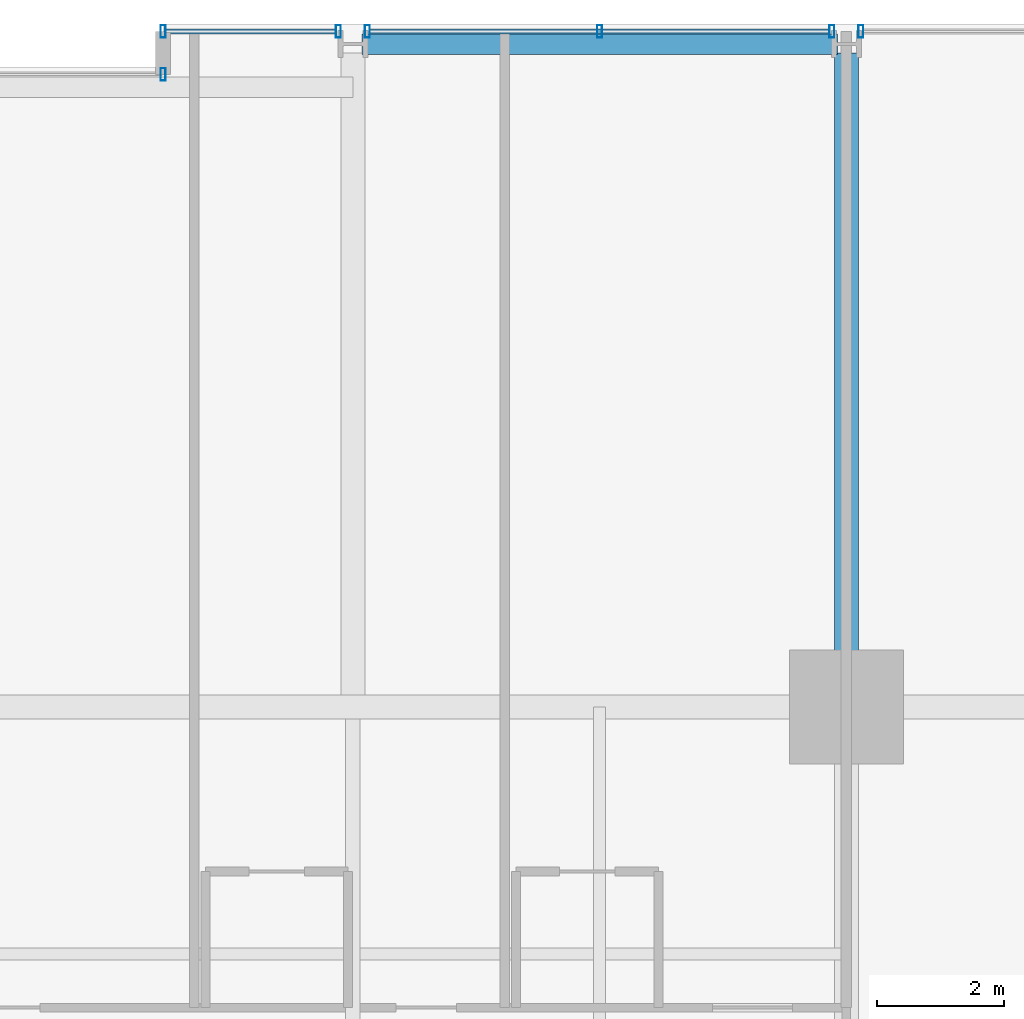
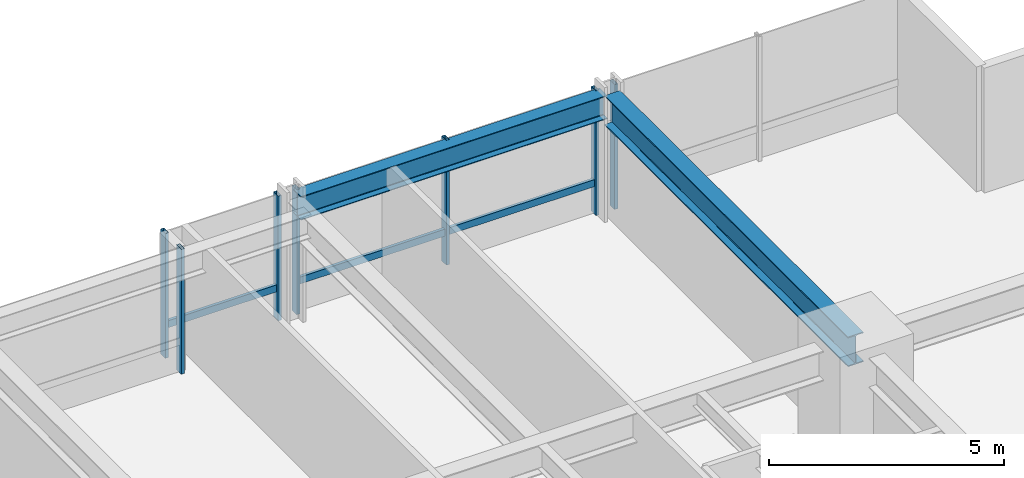
# One storey, part 27 of 38: 9 members, 2 beams, 4 elements without a shape of their own.
"""IFC4 building model written with IfcOpenShell, lengths in metres."""

from ifc_helpers import new_model, si_unit, direction, frame, origin, origin_2d, place, context, subcontext, project, spatial, hollow_rectangle, i_section, extrude, material, layer, layer_set, material_profile, profile_set, type_object, element, aggregate, save


model = new_model("IFC4")

# Units and contexts
model_context = context("Model", 3, precision=1e-05, world=origin(), true_north=direction((0.0, 1.0)))
body_context = subcontext(model_context, "Body", "Model", "MODEL_VIEW")
ifc_project = project(units=[si_unit("LENGTHUNIT", "METRE"), si_unit("AREAUNIT", "SQUARE_METRE"), si_unit("VOLUMEUNIT", "CUBIC_METRE"), si_unit("PLANEANGLEUNIT", "RADIAN"), si_unit("MASSUNIT", "GRAM", prefix="KILO")], contexts=[model_context])

# Site, building, storey
site_placement = place(None, origin())
site = spatial("IfcSite", under=ifc_project, at=site_placement, CompositionType="ELEMENT")
building_placement = place(site_placement, origin())
building = spatial("IfcBuilding", under=site, at=building_placement, Name="Drelvath Grand Hotel", CompositionType="ELEMENT")
storey_placement = place(building_placement, frame((0.0, 0.0, 68.199951171875)))
storey = spatial("IfcBuildingStorey", under=building, at=storey_placement, Name="L16", CompositionType="ELEMENT", Elevation=68.199951171875)

# Curtain wall, member
ifc_material_1 = material(Name="Warm Bronze Anodised Aluminium Frame", Category="aluminium")
ifc_layer = layer(ifc_material_1, 0.199951171875)
ifc_layer_set = layer_set([ifc_layer], Name="Warm Bronze Anodised Aluminium Frame")
curtain_wall_type = type_object("IfcCurtainWallType", Name="Stick Curtain Wall CW-02 Warm Bronze Low-Rise", PredefinedType="NOTDEFINED", material=ifc_layer_set)
curtain_wall_1_placement = place(storey_placement, origin())
curtain_wall_1 = element("IfcCurtainWall", 1, at=curtain_wall_1_placement, inside=storey, type_object=curtain_wall_type, Name="L16 CW-02 Curtain Wall CW02-L16-NE1", PredefinedType="NOTDEFINED")
ifc_material_profile_1 = material_profile(ifc_material_1, hollow_rectangle(XDim=0.074951171875, YDim=0.179931640625, WallThickness=0.0048828125, at=origin_2d()), Name="HSS180X75X5")
ifc_profile_set_1 = profile_set([ifc_material_profile_1], Name="Warm Bronze Anodised Aluminium Frame")
member_type_1 = type_object("IfcMemberType", Name="Curtain Wall Horizontal Transom CW-02 HSS180X75X5", PredefinedType="USERDEFINED", material=ifc_profile_set_1)
member_1_placement = place(storey_placement, frame((5.43994140625, 53.8798828125, 0.81005859375), z_axis=(1.0, 0.0, 0.0), x_axis=(0.0, 1.0, 0.0)))
member_1 = element("IfcMember", 2, at=member_1_placement, type_object=member_type_1, Name="CW02-L16-NE1 Sill Transom", ObjectType="TRANSOM", PredefinedType="USERDEFINED", context=body_context, shape_type="SweptSolid", body=[
    extrude(hollow_rectangle(XDim=0.074951171875, YDim=0.179931640625, WallThickness=0.0048828125, at=origin_2d()), origin(), (0.0, 0.0, 1.0), 2.69091796875),
])

curtain_wall_2_placement = place(storey_placement, origin())
curtain_wall_2 = element("IfcCurtainWall", 3, at=curtain_wall_2_placement, inside=storey, type_object=curtain_wall_type, Name="L16 CW-02 Curtain Wall CW02-L16-NE2", PredefinedType="NOTDEFINED")
member_2_placement = place(storey_placement, frame((8.669189453125, 53.8798828125, 0.81005859375), z_axis=(1.0, 0.0, 0.0), x_axis=(0.0, 1.0, 0.0)))
member_2 = element("IfcMember", 4, at=member_2_placement, type_object=member_type_1, Name="CW02-L16-NE2 Sill Transom", ObjectType="TRANSOM", PredefinedType="USERDEFINED", context=body_context, shape_type="SweptSolid", body=[
    extrude(hollow_rectangle(XDim=0.074951171875, YDim=0.179931640625, WallThickness=0.0048828125, at=origin_2d()), origin(), (0.0, 0.0, 1.0), 7.26171875),
])

curtain_wall_3_placement = place(storey_placement, origin())
curtain_wall_3 = element("IfcCurtainWall", 5, at=curtain_wall_3_placement, inside=storey, type_object=curtain_wall_type, Name="L16 CW-02 Curtain Wall CW02-L16-NM2", PredefinedType="NOTDEFINED")
ifc_material_profile_2 = material_profile(ifc_material_1, hollow_rectangle(XDim=0.080078125, YDim=0.199951171875, WallThickness=0.0048828125, at=origin_2d()), Name="HSS200X80X5")
ifc_profile_set_2 = profile_set([ifc_material_profile_2], Name="Warm Bronze Anodised Aluminium Frame")
member_type_2 = type_object("IfcMemberType", Name="Curtain Wall Vertical Mullion CW-02 HSS200X80X5", PredefinedType="MULLION", material=ifc_profile_set_2)
member_3_placement = place(storey_placement, frame((5.39990234375, 53.199951171875, 0.0), z_axis=(0.0, 0.0, 1.0), x_axis=(1.0, 0.0, 0.0)))
member_3 = element("IfcMember", 6, at=member_3_placement, type_object=member_type_2, Name="CW02-L16-NM2 Mullion 2", PredefinedType="MULLION", context=body_context, shape_type="SweptSolid", body=[
    extrude(hollow_rectangle(XDim=0.080078125, YDim=0.199951171875, WallThickness=0.0048828125, at=origin_2d()), origin(), (0.0, 0.0, 1.0), 3.239990234375),
])
aggregate(curtain_wall_3, [member_3])

# Member
member_4_placement = place(storey_placement, frame((5.39990234375, 53.8798828125, 0.0), z_axis=(0.0, 0.0, 1.0), x_axis=(1.0, 0.0, 0.0)))
member_4 = element("IfcMember", 7, at=member_4_placement, type_object=member_type_2, Name="CW02-L16-NE1 Mullion 1", PredefinedType="MULLION", context=body_context, shape_type="SweptSolid", body=[
    extrude(hollow_rectangle(XDim=0.080078125, YDim=0.199951171875, WallThickness=0.0048828125, at=origin_2d()), origin(), (0.0, 0.0, 1.0), 3.239990234375),
])

member_5_placement = place(storey_placement, frame((8.1708984375, 53.8798828125, 0.0), z_axis=(0.0, 0.0, 1.0), x_axis=(1.0, 0.0, 0.0)))
member_5 = element("IfcMember", 8, at=member_5_placement, type_object=member_type_2, Name="CW02-L16-NE1 Mullion 2", PredefinedType="MULLION", context=body_context, shape_type="SweptSolid", body=[
    extrude(hollow_rectangle(XDim=0.080078125, YDim=0.199951171875, WallThickness=0.0048828125, at=origin_2d()), origin(), (0.0, 0.0, 1.0), 3.239990234375),
])

aggregate(curtain_wall_1, [member_4, member_5, member_1])

member_6_placement = place(storey_placement, frame((8.629150390625, 53.8798828125, 0.0), z_axis=(0.0, 0.0, 1.0), x_axis=(1.0, 0.0, 0.0)))
member_6 = element("IfcMember", 9, at=member_6_placement, type_object=member_type_2, Name="CW02-L16-NE2 Mullion 1", PredefinedType="MULLION", context=body_context, shape_type="SweptSolid", body=[
    extrude(hollow_rectangle(XDim=0.080078125, YDim=0.199951171875, WallThickness=0.0048828125, at=origin_2d()), origin(), (0.0, 0.0, 1.0), 3.239990234375),
])

member_7_placement = place(storey_placement, frame((12.300048828125, 53.8798828125, 0.0), z_axis=(0.0, 0.0, 1.0), x_axis=(1.0, 0.0, 0.0)))
member_7 = element("IfcMember", 10, at=member_7_placement, type_object=member_type_2, Name="CW02-L16-NE2 Mullion 2", PredefinedType="MULLION", context=body_context, shape_type="SweptSolid", body=[
    extrude(hollow_rectangle(XDim=0.080078125, YDim=0.199951171875, WallThickness=0.0048828125, at=origin_2d()), origin(), (0.0, 0.0, 1.0), 3.239990234375),
])

member_8_placement = place(storey_placement, frame((15.970947265625, 53.8798828125, 0.0), z_axis=(0.0, 0.0, 1.0), x_axis=(1.0, 0.0, 0.0)))
member_8 = element("IfcMember", 11, at=member_8_placement, type_object=member_type_2, Name="CW02-L16-NE2 Mullion 3", PredefinedType="MULLION", context=body_context, shape_type="SweptSolid", body=[
    extrude(hollow_rectangle(XDim=0.080078125, YDim=0.199951171875, WallThickness=0.0048828125, at=origin_2d()), origin(), (0.0, 0.0, 1.0), 3.239990234375),
])

aggregate(curtain_wall_2, [member_6, member_7, member_8, member_2])

# Curtain wall, member
curtain_wall_4_placement = place(storey_placement, origin())
curtain_wall_4 = element("IfcCurtainWall", 12, at=curtain_wall_4_placement, inside=storey, type_object=curtain_wall_type, Name="L16 CW-02 Curtain Wall CW02-L16-NE3", PredefinedType="NOTDEFINED")
member_9_placement = place(storey_placement, frame((16.42919921875, 53.8798828125, 0.0), z_axis=(0.0, 0.0, 1.0), x_axis=(1.0, 0.0, 0.0)))
member_9 = element("IfcMember", 13, at=member_9_placement, type_object=member_type_2, Name="CW02-L16-NE3 Mullion 1", PredefinedType="MULLION", context=body_context, shape_type="SweptSolid", body=[
    extrude(hollow_rectangle(XDim=0.080078125, YDim=0.199951171875, WallThickness=0.0048828125, at=origin_2d()), origin(), (0.0, 0.0, 1.0), 3.239990234375),
])
aggregate(curtain_wall_4, [member_9])

# Beams
ifc_material_2 = material(Name="Steel ASTM A992 Gr 50", Category="steel")
ifc_material_profile_3 = material_profile(ifc_material_2, i_section(OverallWidth=0.323974609375, OverallDepth=0.611083984375, WebThickness=0.0126953125, FlangeThickness=0.01904296875, FilletRadius=0.02197265625, at=origin_2d()), Name="W24X104")
ifc_profile_set_3 = profile_set([ifc_material_profile_3], Name="Steel ASTM A992 Gr 50")
beam_type_1 = type_object("IfcBeamType", Name="Perimeter Spandrel Beam W24X104", PredefinedType="SPANDREL", material=ifc_profile_set_3)
beam_1_placement = place(storey_placement, frame((8.5400390625, 53.679931640625, 2.9345703125), z_axis=(1.0, 0.0, 0.0), x_axis=(0.0, 1.0, 0.0)))
element("IfcBeam", 14, at=beam_1_placement, inside=storey, type_object=beam_type_1, Name="L16 Spandrel North E", PredefinedType="SPANDREL", context=body_context, shape_type="SweptSolid", body=[
    extrude(i_section(OverallWidth=0.323974609375, OverallDepth=0.611083984375, WebThickness=0.0126953125, FlangeThickness=0.01904296875, FilletRadius=0.02197265625, at=origin_2d()), origin(), (0.0, 0.0, 1.0), 7.52001953125),
])
ifc_material_profile_4 = material_profile(ifc_material_2, i_section(OverallWidth=0.380615234375, OverallDepth=0.773193359375, WebThickness=0.0166015625, FlangeThickness=0.027099609375, FilletRadius=0.02490234375, at=origin_2d()), Name="W30X173")
ifc_profile_set_4 = profile_set([ifc_material_profile_4], Name="Steel ASTM A992 Gr 50")
beam_type_2 = type_object("IfcBeamType", Name="Primary Floor Girder W30X173", PredefinedType="BEAM", material=ifc_profile_set_4)
beam_2_placement = place(storey_placement, frame((16.199951171875, 43.199951171875, 2.853515625), z_axis=(0.0, 1.0, 0.0), x_axis=(-1.0, 0.0, 0.0)))
element("IfcBeam", 15, at=beam_2_placement, inside=storey, type_object=beam_type_2, Name="L16 North Grid Girder 7", PredefinedType="BEAM", context=body_context, shape_type="SweptSolid", body=[
    extrude(i_section(OverallWidth=0.380615234375, OverallDepth=0.773193359375, WebThickness=0.0166015625, FlangeThickness=0.027099609375, FilletRadius=0.02490234375, at=origin_2d()), origin(), (0.0, 0.0, 1.0), 10.340087890625),
])

save(model, "model.ifc")
